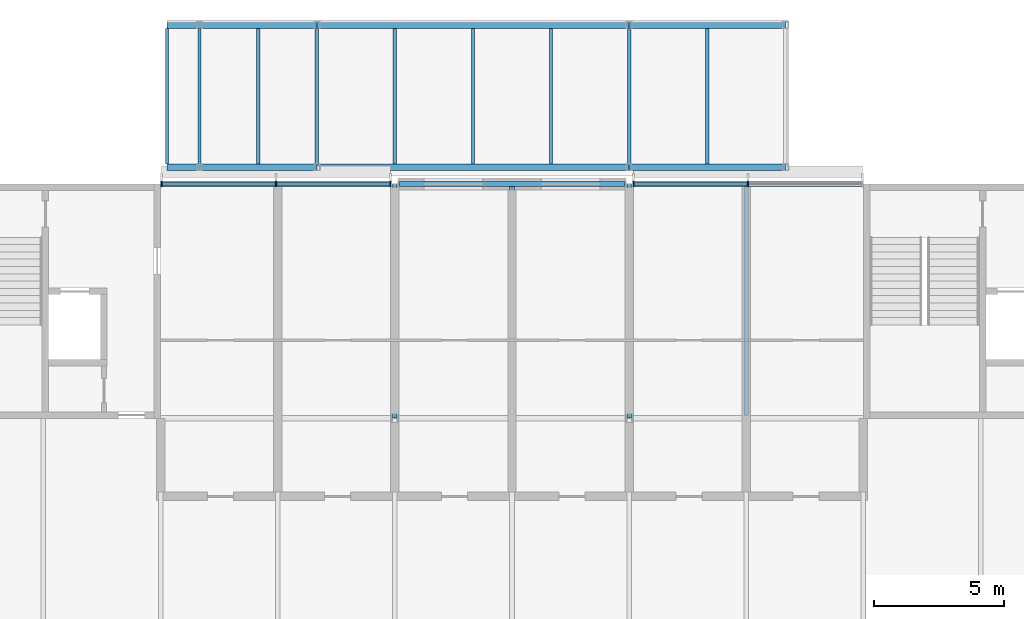
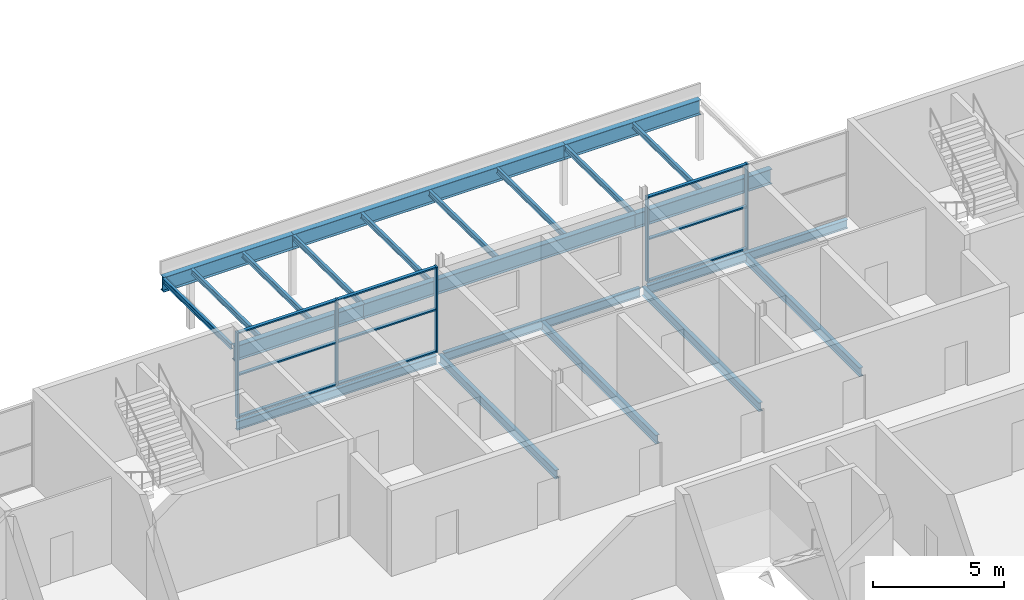
# One storey, part 49 of 97: 22 beams, 14 members, 2 elements without a shape of their own.
"""IFC4 building model written with IfcOpenShell, lengths in metres."""

from ifc_helpers import new_model, si_unit, direction, frame, origin, origin_2d, place, context, subcontext, project, spatial, rectangle, i_section, extrude, material, layer, layer_set, material_profile, profile_set, type_object, element, aggregate, save


model = new_model("IFC4")

# Units and contexts
model_context = context("Model", 3, precision=1e-05, world=origin(), true_north=direction((0.0, 1.0)))
body_context = subcontext(model_context, "Body", "Model", "MODEL_VIEW")
ifc_project = project(units=[si_unit("LENGTHUNIT", "METRE"), si_unit("AREAUNIT", "SQUARE_METRE"), si_unit("VOLUMEUNIT", "CUBIC_METRE"), si_unit("PLANEANGLEUNIT", "RADIAN"), si_unit("MASSUNIT", "GRAM", prefix="KILO")], contexts=[model_context])

# Site, building, storey
site_placement = place(None, origin())
site = spatial("IfcSite", under=ifc_project, at=site_placement, CompositionType="ELEMENT")
building_placement = place(site_placement, origin())
building = spatial("IfcBuilding", under=site, at=building_placement, Name="Corbel Yard City Hall", CompositionType="ELEMENT")
storey_placement = place(building_placement, frame((0.0, 0.0, 6.0)))
storey = spatial("IfcBuildingStorey", under=building, at=storey_placement, Name="L01", CompositionType="ELEMENT", Elevation=6.0)

# Beams
ifc_material_1 = material(Name="Steel Grade 300 (300 MPa yield)", Category="steel")
ifc_material_profile_1 = material_profile(ifc_material_1, i_section(OverallWidth=0.177978515625, OverallDepth=0.403076171875, WebThickness=0.007568359375, FlangeThickness=0.010986328125, at=origin_2d()), Name="410UB53.7")
ifc_profile_set_1 = profile_set([ifc_material_profile_1], Name="Steel Grade 300 (300 MPa yield)")
beam_type_1 = type_object("IfcBeamType", Name="Beam 410UB53.7", PredefinedType="BEAM", material=ifc_profile_set_1)
for number, where, z_axis, x_axis, name in (
    (1, (81.0, 108.0078125, -0.3515625), (0.0, 1.0, 0.0), (-1.0, 0.0, 0.0), "Beam 410UB53.7 SB6 L01floor"),
    (2, (90.0, 108.0078125, -0.3515625), (0.0, 1.0, 0.0), (-1.0, 0.0, 0.0), "Beam 410UB53.7 SB6 L01floor"),
):
    element("IfcBeam", number, at=place(storey_placement, frame(where, z_axis=z_axis, x_axis=x_axis)), inside=storey, type_object=beam_type_1, Name=name, PredefinedType="BEAM", context=body_context, shape_type="SweptSolid", body=[
        extrude(i_section(OverallWidth=0.177978515625, OverallDepth=0.403076171875, WebThickness=0.007568359375, FlangeThickness=0.010986328125, at=origin_2d()), origin(), (0.0, 0.0, 1.0), 8.986328125),
    ])
ifc_material_profile_2 = material_profile(ifc_material_1, i_section(OverallWidth=0.177978515625, OverallDepth=0.406005859375, WebThickness=0.0078125, FlangeThickness=0.0126953125, at=origin_2d()), Name="410UB59.7")
ifc_profile_set_2 = profile_set([ifc_material_profile_2], Name="Steel Grade 300 (300 MPa yield)")
beam_type_2 = type_object("IfcBeamType", Name="Edge beam 410UB59.7", PredefinedType="BEAM", material=ifc_profile_set_2)
beam_1_placement = place(storey_placement, frame((72.0, 117.0, -0.35302734375), z_axis=(1.0, 0.0, 0.0), x_axis=(0.0, 1.0, 0.0)))
element("IfcBeam", 3, at=beam_1_placement, inside=storey, type_object=beam_type_2, Name="Edge beam 410UB59.7 EB2 L01floor", PredefinedType="BEAM", context=body_context, shape_type="SweptSolid", body=[
    extrude(i_section(OverallWidth=0.177978515625, OverallDepth=0.406005859375, WebThickness=0.0078125, FlangeThickness=0.0126953125, at=origin_2d()), origin(), (0.0, 0.0, 1.0), 8.842529296875),
])
beam_2_placement = place(storey_placement, frame((81.157470703125, 117.0, -0.35302734375), z_axis=(1.0, 0.0, 0.0), x_axis=(0.0, 1.0, 0.0)))
element("IfcBeam", 4, at=beam_2_placement, inside=storey, type_object=beam_type_2, Name="Edge beam 410UB59.7 EB2 L01floor", PredefinedType="BEAM", context=body_context, shape_type="SweptSolid", body=[
    extrude(i_section(OverallWidth=0.177978515625, OverallDepth=0.406005859375, WebThickness=0.0078125, FlangeThickness=0.0126953125, at=origin_2d()), origin(), (0.0, 0.0, 1.0), 8.68505859375),
])
beam_3_placement = place(storey_placement, frame((90.157470703125, 117.0, -0.35302734375), z_axis=(1.0, 0.0, 0.0), x_axis=(0.0, 1.0, 0.0)))
element("IfcBeam", 5, at=beam_3_placement, inside=storey, type_object=beam_type_2, Name="Edge beam 410UB59.7 EB2 L01floor", PredefinedType="BEAM", context=body_context, shape_type="SweptSolid", body=[
    extrude(i_section(OverallWidth=0.177978515625, OverallDepth=0.406005859375, WebThickness=0.0078125, FlangeThickness=0.0126953125, at=origin_2d()), origin(), (0.0, 0.0, 1.0), 8.842529296875),
])

# Curtain wall, members
ifc_material_2 = material(Name="Aluminium extrusion", Category="aluminium")
ifc_layer = layer(ifc_material_2, 0.199951171875)
ifc_layer_set = layer_set([ifc_layer], Name="Aluminium extrusion")
curtain_wall_type = type_object("IfcCurtainWallType", Name="CW1", PredefinedType="USERDEFINED", material=ifc_layer_set)
curtain_wall_1_placement = place(storey_placement, origin())
curtain_wall_1 = element("IfcCurtainWall", 6, at=curtain_wall_1_placement, inside=storey, type_object=curtain_wall_type, Name="Curtain wall CW1 L01", ObjectType="CURTAIN WALL", PredefinedType="USERDEFINED")
ifc_material_profile_3 = material_profile(ifc_material_2, rectangle(XDim=0.199951171875, YDim=0.06494140625, at=origin_2d()), Name="200x65")
ifc_profile_set_3 = profile_set([ifc_material_profile_3], Name="Aluminium extrusion")
member_type_1 = type_object("IfcMemberType", Name="ML1", PredefinedType="MULLION", material=ifc_profile_set_3)
member_1_placement = place(storey_placement, frame((72.032470703125, 117.0, 0.0), z_axis=(0.0, 0.0, 1.0), x_axis=(0.0, 1.0, 0.0)))
member_1 = element("IfcMember", 7, at=member_1_placement, type_object=member_type_1, Name="CW1 mullion 1", PredefinedType="MULLION", context=body_context, shape_type="SweptSolid", body=[
    extrude(rectangle(XDim=0.199951171875, YDim=0.06494140625, at=origin_2d()), origin(), (0.0, 0.0, 1.0), 3.990966796875),
])
member_2_placement = place(storey_placement, frame((76.43505859375, 117.0, 0.0), z_axis=(0.0, 0.0, 1.0), x_axis=(0.0, 1.0, 0.0)))
member_2 = element("IfcMember", 8, at=member_2_placement, type_object=member_type_1, Name="CW1 mullion 2", PredefinedType="MULLION", context=body_context, shape_type="SweptSolid", body=[
    extrude(rectangle(XDim=0.199951171875, YDim=0.06494140625, at=origin_2d()), origin(), (0.0, 0.0, 1.0), 3.990966796875),
])
member_3_placement = place(storey_placement, frame((80.83740234375, 117.0, 0.0), z_axis=(0.0, 0.0, 1.0), x_axis=(0.0, 1.0, 0.0)))
member_3 = element("IfcMember", 9, at=member_3_placement, type_object=member_type_1, Name="CW1 mullion 3", PredefinedType="MULLION", context=body_context, shape_type="SweptSolid", body=[
    extrude(rectangle(XDim=0.199951171875, YDim=0.06494140625, at=origin_2d()), origin(), (0.0, 0.0, 1.0), 3.990966796875),
])

curtain_wall_2_placement = place(storey_placement, origin())
curtain_wall_2 = element("IfcCurtainWall", 10, at=curtain_wall_2_placement, inside=storey, type_object=curtain_wall_type, Name="Curtain wall CW1 L01", ObjectType="CURTAIN WALL", PredefinedType="USERDEFINED")
member_4_placement = place(storey_placement, frame((90.16259765625, 117.0, 0.0), z_axis=(0.0, 0.0, 1.0), x_axis=(0.0, 1.0, 0.0)))
member_4 = element("IfcMember", 11, at=member_4_placement, type_object=member_type_1, Name="CW1 mullion 1", PredefinedType="MULLION", context=body_context, shape_type="SweptSolid", body=[
    extrude(rectangle(XDim=0.199951171875, YDim=0.06494140625, at=origin_2d()), origin(), (0.0, 0.0, 1.0), 3.990966796875),
])
member_5_placement = place(storey_placement, frame((94.56494140625, 117.0, 0.0), z_axis=(0.0, 0.0, 1.0), x_axis=(0.0, 1.0, 0.0)))
member_5 = element("IfcMember", 12, at=member_5_placement, type_object=member_type_1, Name="CW1 mullion 2", PredefinedType="MULLION", context=body_context, shape_type="SweptSolid", body=[
    extrude(rectangle(XDim=0.199951171875, YDim=0.06494140625, at=origin_2d()), origin(), (0.0, 0.0, 1.0), 3.990966796875),
])

# Beams
ifc_material_3 = material(Name="Steel Grade 350", Category="steel")
ifc_material_profile_4 = material_profile(ifc_material_3, i_section(OverallWidth=0.25, OverallDepth=0.69189453125, WebThickness=0.010009765625, FlangeThickness=0.01611328125, at=origin_2d()), Name="700WB115")
ifc_profile_set_4 = profile_set([ifc_material_profile_4], Name="Steel Grade 350")
beam_type_3 = type_object("IfcBeamType", Name="Portico Girder 700WB115", PredefinedType="BEAM", material=ifc_profile_set_4)
beam_4_placement = place(storey_placement, frame((72.25, 117.64990234375, 2.5458984375), z_axis=(1.0, 0.0, 0.0), x_axis=(0.0, 1.0, 0.0)))
element("IfcBeam", 13, at=beam_4_placement, inside=storey, type_object=beam_type_3, Name="Portico Girder B01", PredefinedType="BEAM", context=body_context, shape_type="SweptSolid", body=[
    extrude(i_section(OverallWidth=0.25, OverallDepth=0.69189453125, WebThickness=0.010009765625, FlangeThickness=0.01611328125, at=origin_2d()), origin(), (0.0, 0.0, 1.0), 5.75),
])
beam_5_placement = place(storey_placement, frame((78.0, 117.64990234375, 2.5458984375), z_axis=(1.0, 0.0, 0.0), x_axis=(0.0, 1.0, 0.0)))
element("IfcBeam", 14, at=beam_5_placement, inside=storey, type_object=beam_type_3, Name="Portico Girder B02", PredefinedType="BEAM", context=body_context, shape_type="SweptSolid", body=[
    extrude(i_section(OverallWidth=0.25, OverallDepth=0.69189453125, WebThickness=0.010009765625, FlangeThickness=0.01611328125, at=origin_2d()), origin(), (0.0, 0.0, 1.0), 12.0),
])
beam_6_placement = place(storey_placement, frame((90.0, 117.64990234375, 2.5458984375), z_axis=(1.0, 0.0, 0.0), x_axis=(0.0, 1.0, 0.0)))
element("IfcBeam", 15, at=beam_6_placement, inside=storey, type_object=beam_type_3, Name="Portico Girder B03", PredefinedType="BEAM", context=body_context, shape_type="SweptSolid", body=[
    extrude(i_section(OverallWidth=0.25, OverallDepth=0.69189453125, WebThickness=0.010009765625, FlangeThickness=0.01611328125, at=origin_2d()), origin(), (0.0, 0.0, 1.0), 6.0),
])
beam_7_placement = place(storey_placement, frame((72.25, 123.10009765625, 2.477783203125), z_axis=(1.0, 0.0, 0.0), x_axis=(0.0, 1.0, 0.0)))
element("IfcBeam", 16, at=beam_7_placement, inside=storey, type_object=beam_type_3, Name="Portico Girder F01", PredefinedType="BEAM", context=body_context, shape_type="SweptSolid", body=[
    extrude(i_section(OverallWidth=0.25, OverallDepth=0.69189453125, WebThickness=0.010009765625, FlangeThickness=0.01611328125, at=origin_2d()), origin(), (0.0, 0.0, 1.0), 5.75),
])
beam_8_placement = place(storey_placement, frame((78.0, 123.10009765625, 2.477783203125), z_axis=(1.0, 0.0, 0.0), x_axis=(0.0, 1.0, 0.0)))
element("IfcBeam", 17, at=beam_8_placement, inside=storey, type_object=beam_type_3, Name="Portico Girder F02", PredefinedType="BEAM", context=body_context, shape_type="SweptSolid", body=[
    extrude(i_section(OverallWidth=0.25, OverallDepth=0.69189453125, WebThickness=0.010009765625, FlangeThickness=0.01611328125, at=origin_2d()), origin(), (0.0, 0.0, 1.0), 12.0),
])
beam_9_placement = place(storey_placement, frame((90.0, 123.10009765625, 2.477783203125), z_axis=(1.0, 0.0, 0.0), x_axis=(0.0, 1.0, 0.0)))
element("IfcBeam", 18, at=beam_9_placement, inside=storey, type_object=beam_type_3, Name="Portico Girder F03", PredefinedType="BEAM", context=body_context, shape_type="SweptSolid", body=[
    extrude(i_section(OverallWidth=0.25, OverallDepth=0.69189453125, WebThickness=0.010009765625, FlangeThickness=0.01611328125, at=origin_2d()), origin(), (0.0, 0.0, 1.0), 6.0),
])
ifc_material_profile_5 = material_profile(ifc_material_1, i_section(OverallWidth=0.1240234375, OverallDepth=0.248046875, WebThickness=0.0048828125, FlangeThickness=0.008056640625, at=origin_2d()), Name="250UB25.7")
ifc_profile_set_5 = profile_set([ifc_material_profile_5], Name="Steel Grade 300 (300 MPa yield)")
beam_type_4 = type_object("IfcBeamType", Name="Portico Roof Beam 250UB25.7", PredefinedType="BEAM", material=ifc_profile_set_5)
for number, where, z_axis, x_axis, name in (
    (19, (72.25, 117.77490234375, 2.766357421875), (0.0, 0.999922030764, -0.01248728921), (-1.0, 0.0, 0.0), "Portico Roof Beam 01"),
    (20, (73.5, 117.77490234375, 2.766357421875), (0.0, 0.999922030764, -0.01248728921), (-1.0, 0.0, 0.0), "Portico Roof Beam 02"),
    (21, (75.75, 117.77490234375, 2.766357421875), (0.0, 0.999922030764, -0.01248728921), (-1.0, 0.0, 0.0), "Portico Roof Beam 03"),
    (22, (78.0, 117.77490234375, 2.766357421875), (0.0, 0.999922030764, -0.01248728921), (-1.0, 0.0, 0.0), "Portico Roof Beam 04"),
    (23, (81.0, 117.77490234375, 2.766357421875), (0.0, 0.999922030764, -0.01248728921), (-1.0, 0.0, 0.0), "Portico Roof Beam 05"),
    (24, (84.0, 117.77490234375, 2.766357421875), (0.0, 0.999922030764, -0.01248728921), (-1.0, 0.0, 0.0), "Portico Roof Beam 06"),
    (25, (87.0, 117.77490234375, 2.766357421875), (0.0, 0.999922030764, -0.01248728921), (-1.0, 0.0, 0.0), "Portico Roof Beam 07"),
    (26, (90.0, 117.77490234375, 2.766357421875), (0.0, 0.999922030764, -0.01248728921), (-1.0, 0.0, 0.0), "Portico Roof Beam 08"),
    (27, (93.0, 117.77490234375, 2.766357421875), (0.0, 0.999922030764, -0.01248728921), (-1.0, 0.0, 0.0), "Portico Roof Beam 09"),
):
    element("IfcBeam", number, at=place(storey_placement, frame(where, z_axis=z_axis, x_axis=x_axis)), inside=storey, type_object=beam_type_4, Name=name, PredefinedType="BEAM", context=body_context, shape_type="SweptSolid", body=[
        extrude(i_section(OverallWidth=0.1240234375, OverallDepth=0.248046875, WebThickness=0.0048828125, FlangeThickness=0.008056640625, at=origin_2d()), origin(), (0.0, 0.0, 1.0), 5.20068359375),
    ])
ifc_material_profile_6 = material_profile(ifc_material_1, i_section(OverallWidth=0.177978515625, OverallDepth=0.403076171875, WebThickness=0.007568359375, FlangeThickness=0.010986328125, at=origin_2d()), Name="410UB53.7")
ifc_profile_set_6 = profile_set([ifc_material_profile_6], Name="Steel Grade 300 (300 MPa yield)")
beam_type_5 = type_object("IfcBeamType", Name="Secondary beam 410UB53.7", PredefinedType="JOIST", material=ifc_profile_set_6)
for number, where, z_axis, x_axis, name in (
    (28, (85.5, 108.1044921875, -0.3515625), (0.0, 1.0, 0.0), (-1.0, 0.0, 0.0), "Secondary beam 410UB53.7 SB5 L01floor"),
    (29, (94.5, 108.1044921875, -0.3515625), (0.0, 1.0, 0.0), (-1.0, 0.0, 0.0), "Secondary beam 410UB53.7 SB5 L01floor"),
):
    element("IfcBeam", number, at=place(storey_placement, frame(where, z_axis=z_axis, x_axis=x_axis)), inside=storey, type_object=beam_type_5, Name=name, PredefinedType="JOIST", context=body_context, shape_type="SweptSolid", body=[
        extrude(i_section(OverallWidth=0.177978515625, OverallDepth=0.403076171875, WebThickness=0.007568359375, FlangeThickness=0.010986328125, at=origin_2d()), origin(), (0.0, 0.0, 1.0), 8.806396484375),
    ])

# Member
ifc_material_profile_7 = material_profile(ifc_material_2, rectangle(XDim=0.14990234375, YDim=0.06494140625, at=origin_2d()), Name="150x65")
ifc_profile_set_7 = profile_set([ifc_material_profile_7], Name="Aluminium extrusion")
member_type_2 = type_object("IfcMemberType", Name="TR1", PredefinedType="USERDEFINED", material=ifc_profile_set_7)
member_6_placement = place(storey_placement, frame((72.06494140625, 117.0, 0.032470703125), z_axis=(1.0, 0.0, 0.0), x_axis=(0.0, 1.0, 0.0)))
member_6 = element("IfcMember", 30, at=member_6_placement, type_object=member_type_2, Name="CW1 transom 1.1", ObjectType="TRANSOM", PredefinedType="USERDEFINED", context=body_context, shape_type="SweptSolid", body=[
    extrude(rectangle(XDim=0.14990234375, YDim=0.06494140625, at=origin_2d()), origin(), (0.0, 0.0, 1.0), 4.337646484375),
])

member_7_placement = place(storey_placement, frame((72.06494140625, 117.0, 1.99560546875), z_axis=(1.0, 0.0, 0.0), x_axis=(0.0, 1.0, 0.0)))
member_7 = element("IfcMember", 31, at=member_7_placement, type_object=member_type_2, Name="CW1 transom 1.2", ObjectType="TRANSOM", PredefinedType="USERDEFINED", context=body_context, shape_type="SweptSolid", body=[
    extrude(rectangle(XDim=0.14990234375, YDim=0.06494140625, at=origin_2d()), origin(), (0.0, 0.0, 1.0), 4.337646484375),
])

member_8_placement = place(storey_placement, frame((72.06494140625, 117.0, 3.95849609375), z_axis=(1.0, 0.0, 0.0), x_axis=(0.0, 1.0, 0.0)))
member_8 = element("IfcMember", 32, at=member_8_placement, type_object=member_type_2, Name="CW1 transom 1.3", ObjectType="TRANSOM", PredefinedType="USERDEFINED", context=body_context, shape_type="SweptSolid", body=[
    extrude(rectangle(XDim=0.14990234375, YDim=0.06494140625, at=origin_2d()), origin(), (0.0, 0.0, 1.0), 4.337646484375),
])

member_9_placement = place(storey_placement, frame((76.467529296875, 117.0, 0.032470703125), z_axis=(1.0, 0.0, 0.0), x_axis=(0.0, 1.0, 0.0)))
member_9 = element("IfcMember", 33, at=member_9_placement, type_object=member_type_2, Name="CW1 transom 2.1", ObjectType="TRANSOM", PredefinedType="USERDEFINED", context=body_context, shape_type="SweptSolid", body=[
    extrude(rectangle(XDim=0.14990234375, YDim=0.06494140625, at=origin_2d()), origin(), (0.0, 0.0, 1.0), 4.33740234375),
])

member_10_placement = place(storey_placement, frame((76.467529296875, 117.0, 1.99560546875), z_axis=(1.0, 0.0, 0.0), x_axis=(0.0, 1.0, 0.0)))
member_10 = element("IfcMember", 34, at=member_10_placement, type_object=member_type_2, Name="CW1 transom 2.2", ObjectType="TRANSOM", PredefinedType="USERDEFINED", context=body_context, shape_type="SweptSolid", body=[
    extrude(rectangle(XDim=0.14990234375, YDim=0.06494140625, at=origin_2d()), origin(), (0.0, 0.0, 1.0), 4.33740234375),
])

member_11_placement = place(storey_placement, frame((76.467529296875, 117.0, 3.95849609375), z_axis=(1.0, 0.0, 0.0), x_axis=(0.0, 1.0, 0.0)))
member_11 = element("IfcMember", 35, at=member_11_placement, type_object=member_type_2, Name="CW1 transom 2.3", ObjectType="TRANSOM", PredefinedType="USERDEFINED", context=body_context, shape_type="SweptSolid", body=[
    extrude(rectangle(XDim=0.14990234375, YDim=0.06494140625, at=origin_2d()), origin(), (0.0, 0.0, 1.0), 4.33740234375),
])

aggregate(curtain_wall_1, [member_1, member_2, member_3, member_6, member_7, member_8, member_9, member_10, member_11])

member_12_placement = place(storey_placement, frame((90.195068359375, 117.0, 0.032470703125), z_axis=(1.0, 0.0, 0.0), x_axis=(0.0, 1.0, 0.0)))
member_12 = element("IfcMember", 36, at=member_12_placement, type_object=member_type_2, Name="CW1 transom 1.1", ObjectType="TRANSOM", PredefinedType="USERDEFINED", context=body_context, shape_type="SweptSolid", body=[
    extrude(rectangle(XDim=0.14990234375, YDim=0.06494140625, at=origin_2d()), origin(), (0.0, 0.0, 1.0), 4.33740234375),
])

member_13_placement = place(storey_placement, frame((90.195068359375, 117.0, 1.99560546875), z_axis=(1.0, 0.0, 0.0), x_axis=(0.0, 1.0, 0.0)))
member_13 = element("IfcMember", 37, at=member_13_placement, type_object=member_type_2, Name="CW1 transom 1.2", ObjectType="TRANSOM", PredefinedType="USERDEFINED", context=body_context, shape_type="SweptSolid", body=[
    extrude(rectangle(XDim=0.14990234375, YDim=0.06494140625, at=origin_2d()), origin(), (0.0, 0.0, 1.0), 4.33740234375),
])

member_14_placement = place(storey_placement, frame((90.195068359375, 117.0, 3.95849609375), z_axis=(1.0, 0.0, 0.0), x_axis=(0.0, 1.0, 0.0)))
member_14 = element("IfcMember", 38, at=member_14_placement, type_object=member_type_2, Name="CW1 transom 1.3", ObjectType="TRANSOM", PredefinedType="USERDEFINED", context=body_context, shape_type="SweptSolid", body=[
    extrude(rectangle(XDim=0.14990234375, YDim=0.06494140625, at=origin_2d()), origin(), (0.0, 0.0, 1.0), 4.33740234375),
])

aggregate(curtain_wall_2, [member_4, member_5, member_12, member_13, member_14])

save(model, "model.ifc")
